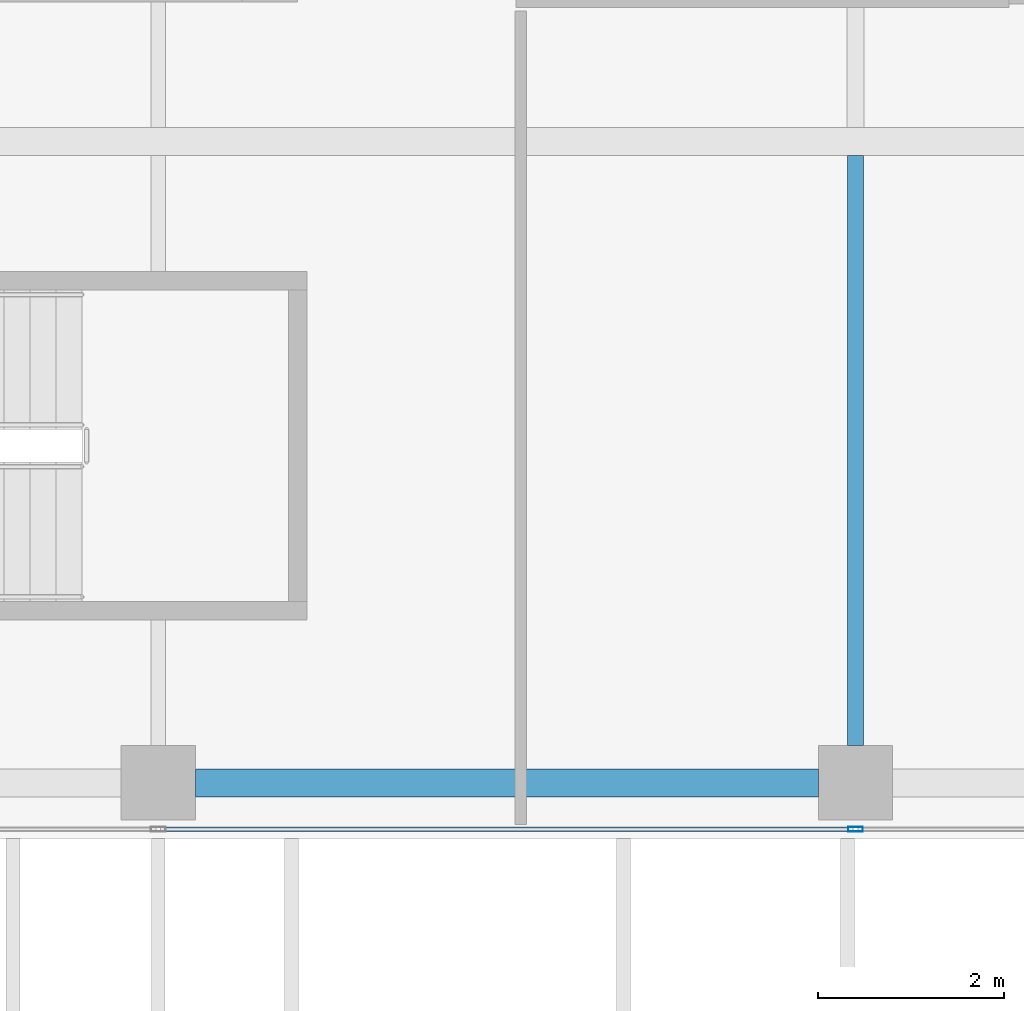
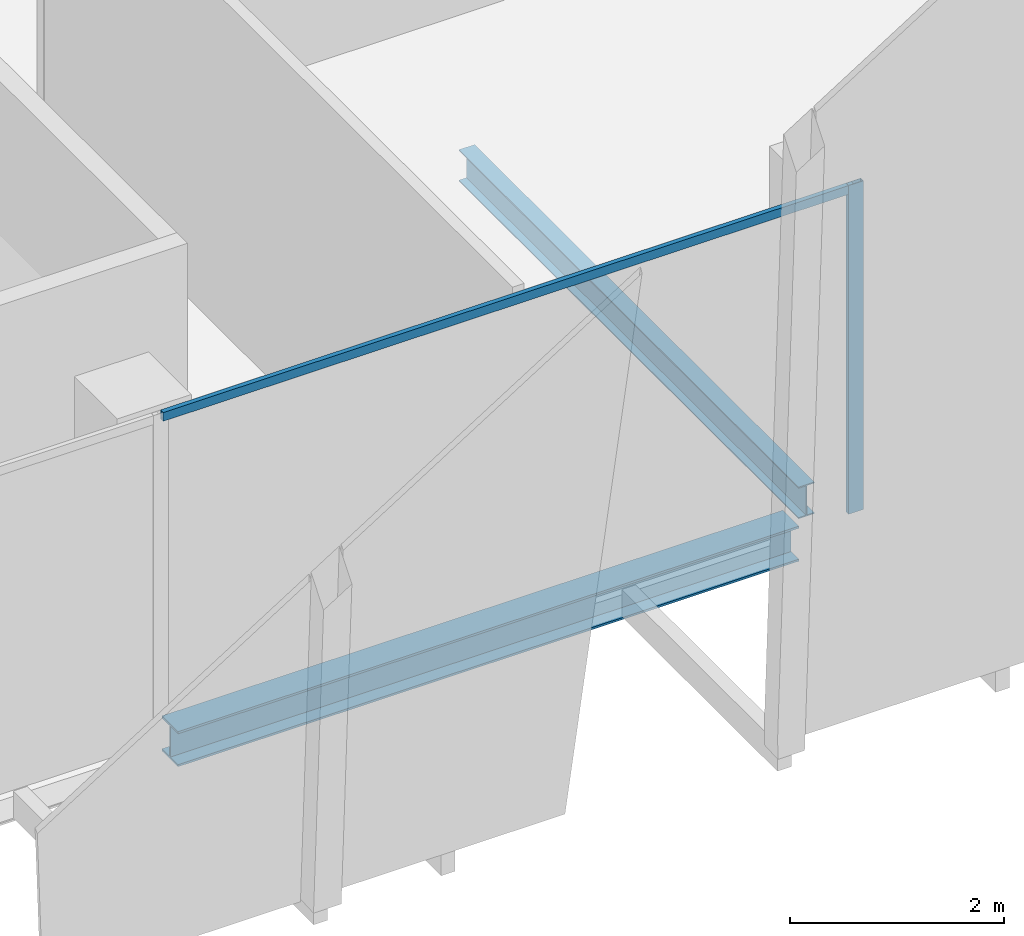
# One storey, part 4 of 32: 2 beams, 2 members, 1 element without a shape of its own.
"""IFC4 building model written with IfcOpenShell, lengths in metres."""

from ifc_helpers import new_model, si_unit, direction, frame, origin, origin_2d, place, context, subcontext, project, spatial, hollow_rectangle, i_section, extrude, source, transform, mapped, material, material_profile, profile_set, type_object, element, aggregate, save


model = new_model("IFC4")

# Units and contexts
model_context = context("Model", 3, precision=1e-05, world=origin(), true_north=direction((0.0, 1.0)))
body_context = subcontext(model_context, "Body", "Model", "MODEL_VIEW")
ifc_project = project(units=[si_unit("LENGTHUNIT", "METRE"), si_unit("AREAUNIT", "SQUARE_METRE"), si_unit("VOLUMEUNIT", "CUBIC_METRE"), si_unit("PLANEANGLEUNIT", "RADIAN"), si_unit("MASSUNIT", "GRAM", prefix="KILO")], contexts=[model_context])

# Site, building, storey
site_placement = place(None, origin())
site = spatial("IfcSite", under=ifc_project, at=site_placement, CompositionType="ELEMENT")
building_placement = place(site_placement, origin())
building = spatial("IfcBuilding", under=site, at=building_placement, Name="Khomas Fold Tower", CompositionType="ELEMENT")
storey_placement = place(building_placement, frame((0.0, 0.0, 318.199951171875)))
storey = spatial("IfcBuildingStorey", under=building, at=storey_placement, Name="L72", CompositionType="ELEMENT", Elevation=318.199951171875)

# Beams
ifc_material_1 = material(Name="Steel S355", Category="steel")
ifc_material_profile_1 = material_profile(ifc_material_1, i_section(OverallWidth=0.300048828125, OverallDepth=0.39990234375, WebThickness=0.013427734375, FlangeThickness=0.02392578125, at=origin_2d()), Name="HE 400 B")
ifc_profile_set_1 = profile_set([ifc_material_profile_1], Name="Steel S355")
beam_type_1 = type_object("IfcBeamType", Name="HE 400 B spandrel SB5", PredefinedType="SPANDREL", material=ifc_profile_set_1)
shared_shape_1 = source(origin(), body_context, "Body", "SweptSolid", [
    extrude(i_section(OverallWidth=0.300048828125, OverallDepth=0.39990234375, WebThickness=0.013427734375, FlangeThickness=0.02392578125, at=origin_2d()), origin(), (0.0, 0.0, 1.0), 6.7001953125),
])
beam_1_placement = place(storey_placement, frame((19.89990234375, 6.60009765625, -0.449951171875), z_axis=(1.0, 0.0, 0.0), x_axis=(0.0, 1.0, 0.0)))
element("IfcBeam", 1, at=beam_1_placement, inside=storey, type_object=beam_type_1, Name="SB5", PredefinedType="SPANDREL", context=body_context, shape_type="MappedRepresentation", body=[
    mapped(shared_shape_1, transform((0.0, 0.0, 0.0))),
])
ifc_material_2 = material(Name="Steel S355", Category="steel")
ifc_material_profile_2 = material_profile(ifc_material_2, i_section(OverallWidth=0.169921875, OverallDepth=0.360107421875, WebThickness=0.008056640625, FlangeThickness=0.0126953125, at=origin_2d()), Name="IPE 360")
ifc_profile_set_2 = profile_set([ifc_material_profile_2], Name="Steel S355")
beam_type_2 = type_object("IfcBeamType", Name="IPE 360 beam JB2", PredefinedType="BEAM", material=ifc_profile_set_2)
shared_shape_2 = source(origin(), body_context, "Body", "SweptSolid", [
    extrude(i_section(OverallWidth=0.169921875, OverallDepth=0.360107421875, WebThickness=0.008056640625, FlangeThickness=0.0126953125, at=origin_2d()), origin(), (0.0, 0.0, 1.0), 6.35009765625),
])
beam_2_placement = place(storey_placement, frame((27.0, 7.0, -0.429931640625), z_axis=(0.0, 1.0, 0.0), x_axis=(-1.0, 0.0, 0.0)))
element("IfcBeam", 2, at=beam_2_placement, inside=storey, type_object=beam_type_2, Name="JB2", PredefinedType="BEAM", context=body_context, shape_type="MappedRepresentation", body=[
    mapped(shared_shape_2, transform((0.0, 0.0, 0.0))),
])

# Curtain wall, members
ifc_material_3 = material(Name="Aluminium framed double glazing", Category="aluminium")
curtain_wall_type = type_object("IfcCurtainWallType", Name="SK-Unitised clear-glass wall, upper floors CW3", PredefinedType="NOTDEFINED", material=ifc_material_3)
curtain_wall_placement = place(storey_placement, origin())
curtain_wall = element("IfcCurtainWall", 3, at=curtain_wall_placement, inside=storey, type_object=curtain_wall_type, Name="CW3 run L72 00-0", PredefinedType="NOTDEFINED")
ifc_material_4 = material(Name="Aluminium", Category="aluminium")
ifc_material_profile_3 = material_profile(ifc_material_4, hollow_rectangle(XDim=0.050048828125, YDim=0.159912109375, WallThickness=0.00390625, at=origin_2d()), Name="SK-Unitised clear-glass wall, upper floors mullion CW3-M")
ifc_profile_set_3 = profile_set([ifc_material_profile_3], Name="Aluminium")
member_type_1 = type_object("IfcMemberType", Name="SK-Unitised clear-glass wall, upper floors mullion CW3-M", PredefinedType="MULLION", material=ifc_profile_set_3)
shared_shape_3 = source(origin(), body_context, "Body", "SweptSolid", [
    extrude(hollow_rectangle(XDim=0.050048828125, YDim=0.159912109375, WallThickness=0.00390625, at=origin_2d()), origin(), (0.0, 0.0, 1.0), 3.75),
])
member_1_placement = place(storey_placement, frame((27.0, 6.10009765625, 0.0), z_axis=(0.0, 0.0, 1.0), x_axis=(0.0, 1.0, 0.0)))
member_1 = element("IfcMember", 4, at=member_1_placement, type_object=member_type_1, Name="CW3 mullion 4", PredefinedType="MULLION", context=body_context, shape_type="MappedRepresentation", body=[
    mapped(shared_shape_3, transform((0.0, 0.0, 0.0))),
])
ifc_material_5 = material(Name="Aluminium", Category="aluminium")
ifc_material_profile_4 = material_profile(ifc_material_5, hollow_rectangle(XDim=0.050048828125, YDim=0.10009765625, WallThickness=0.00390625, at=origin_2d()), Name="SK-Unitised clear-glass wall, upper floors transom CW3-T")
ifc_profile_set_4 = profile_set([ifc_material_profile_4], Name="Aluminium")
member_type_2 = type_object("IfcMemberType", Name="SK-Unitised clear-glass wall, upper floors transom CW3-T", PredefinedType="USERDEFINED", material=ifc_profile_set_4)
shared_shape_4 = source(origin(), body_context, "Body", "SweptSolid", [
    extrude(hollow_rectangle(XDim=0.050048828125, YDim=0.10009765625, WallThickness=0.00390625, at=origin_2d()), origin(), (0.0, 0.0, 1.0), 7.4501953125),
])
member_2_placement = place(storey_placement, frame((19.52490234375, 6.10009765625, 3.699951171875), z_axis=(1.0, 0.0, 0.0), x_axis=(0.0, 1.0, 0.0)))
member_2 = element("IfcMember", 5, at=member_2_placement, type_object=member_type_2, Name="CW3 transom 3", ObjectType="TRANSOM", PredefinedType="USERDEFINED", context=body_context, shape_type="MappedRepresentation", body=[
    mapped(shared_shape_4, transform((0.0, 0.0, 0.0))),
])
aggregate(curtain_wall, [member_1, member_2])

save(model, "model.ifc")
